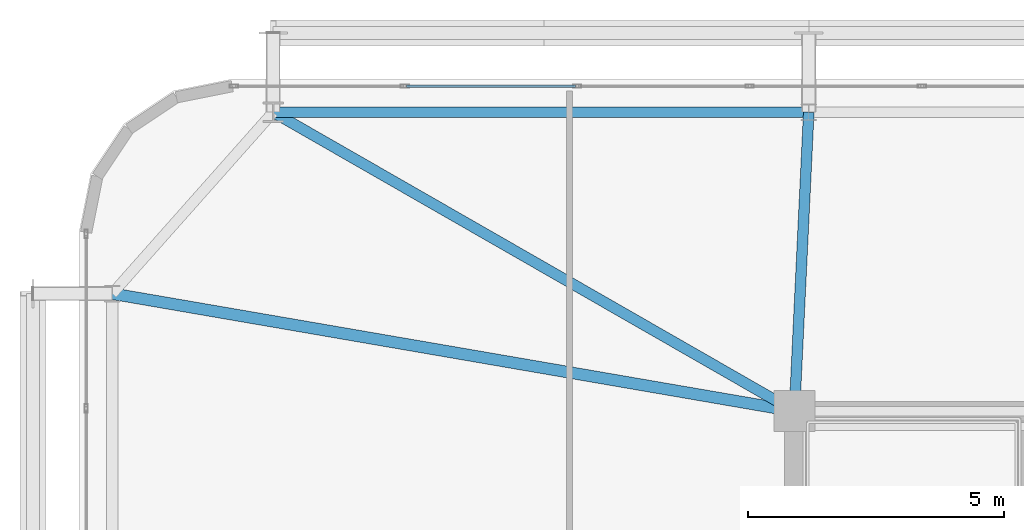
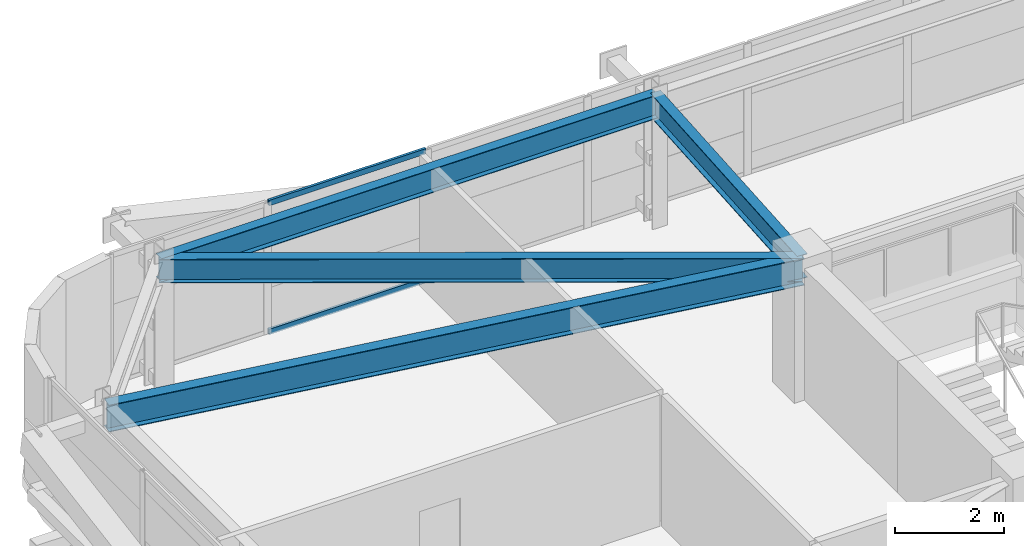
# One storey, part 34 of 59: 4 beams, 2 members, 1 element without a shape of its own.
"""IFC4 building model written with IfcOpenShell, lengths in metres."""

from ifc_helpers import new_model, si_unit, direction, frame, origin, origin_2d, place, context, subcontext, project, spatial, hollow_rectangle, i_section, extrude, source, transform, mapped, material, layer, layer_set, material_profile, profile_set, type_object, element, aggregate, save


model = new_model("IFC4")

# Units and contexts
model_context = context("Model", 3, precision=1e-05, world=origin(), true_north=direction((0.0, 1.0)))
body_context = subcontext(model_context, "Body", "Model", "MODEL_VIEW")
ifc_project = project(units=[si_unit("LENGTHUNIT", "METRE"), si_unit("AREAUNIT", "SQUARE_METRE"), si_unit("VOLUMEUNIT", "CUBIC_METRE"), si_unit("PLANEANGLEUNIT", "RADIAN"), si_unit("MASSUNIT", "GRAM", prefix="KILO")], contexts=[model_context])

# Site, building, storey
site_placement = place(None, origin())
site = spatial("IfcSite", under=ifc_project, at=site_placement, CompositionType="ELEMENT")
building_placement = place(site_placement, origin())
building = spatial("IfcBuilding", under=site, at=building_placement, Name="Taldren Reach Tower", CompositionType="ELEMENT")
storey_placement = place(building_placement, frame((0.0, 0.0, 26.25)))
storey = spatial("IfcBuildingStorey", under=building, at=storey_placement, Name="L07", CompositionType="ELEMENT", Elevation=26.25)

# Beams
ifc_material_1 = material(Name="Steel Gr 350 (350PLUS)", Category="steel")
ifc_material_profile_1 = material_profile(ifc_material_1, i_section(OverallWidth=0.208984375, OverallDepth=0.528076171875, WebThickness=0.009521484375, FlangeThickness=0.01318359375, at=origin_2d()), Name="530UB82.0")
ifc_profile_set_1 = profile_set([ifc_material_profile_1], Name="Steel Gr 350 (350PLUS)")
beam_type_1 = type_object("IfcBeamType", Name="SP-UB530B", PredefinedType="SPANDREL", material=ifc_profile_set_1)
shared_shape_1 = source(origin(), body_context, "Body", "SweptSolid", [
    extrude(i_section(OverallWidth=0.208984375, OverallDepth=0.528076171875, WebThickness=0.009521484375, FlangeThickness=0.01318359375, at=origin_2d()), origin(), (0.0, 0.0, 1.0), 10.47998046875),
])
beam_1_placement = place(storey_placement, frame((19.280029296875, 37.85009765625, 2.666015625), z_axis=(-1.0, 0.0, 0.0), x_axis=(0.0, -1.0, 0.0)))
element("IfcBeam", 1, at=beam_1_placement, inside=storey, type_object=beam_type_1, Name="Perimeter spandrel B1 N2-N1 L07", PredefinedType="SPANDREL", context=body_context, shape_type="MappedRepresentation", body=[
    mapped(shared_shape_1, transform((0.0, 0.0, 0.0), scale=1.0)),
])
ifc_material_profile_2 = material_profile(ifc_material_1, i_section(OverallWidth=0.22802734375, OverallDepth=0.60205078125, WebThickness=0.010498046875, FlangeThickness=0.014892578125, at=origin_2d()), Name="610UB101")
ifc_profile_set_2 = profile_set([ifc_material_profile_2], Name="Steel Gr 350 (350PLUS)")
beam_type_2 = type_object("IfcBeamType", Name="BM-UB610B", PredefinedType="BEAM", material=ifc_profile_set_2)
shared_shape_2 = source(origin(), body_context, "Body", "SweptSolid", [
    extrude(i_section(OverallWidth=0.22802734375, OverallDepth=0.60205078125, WebThickness=0.010498046875, FlangeThickness=0.014892578125, at=origin_2d()), origin(), (0.0, 0.0, 1.0), 13.546875),
])
beam_2_placement = place(storey_placement, frame((19.0, 32.0, 2.62890625), z_axis=(-0.985481022998, 0.169785609847, 0.0), x_axis=(-0.169785609847, -0.985481022998, 0.0)))
element("IfcBeam", 2, at=beam_2_placement, inside=storey, type_object=beam_type_2, Name="Primary floor girder B1-W3 L07", PredefinedType="BEAM", context=body_context, shape_type="MappedRepresentation", body=[
    mapped(shared_shape_2, transform((0.0, 0.0, 0.0), scale=1.0)),
])
ifc_material_profile_3 = material_profile(ifc_material_1, i_section(OverallWidth=0.208984375, OverallDepth=0.532958984375, WebThickness=0.01025390625, FlangeThickness=0.015625, at=origin_2d()), Name="530UB92.4")
ifc_profile_set_3 = profile_set([ifc_material_profile_3], Name="Steel Gr 350 (350PLUS)")
beam_type_3 = type_object("IfcBeamType", Name="BM-UB530A", PredefinedType="BEAM", material=ifc_profile_set_3)
shared_shape_3 = source(origin(), body_context, "Body", "SweptSolid", [
    extrude(i_section(OverallWidth=0.208984375, OverallDepth=0.532958984375, WebThickness=0.01025390625, FlangeThickness=0.015625, at=origin_2d()), origin(), (0.0, 0.0, 1.0), 11.758544921875),
])
beam_3_placement = place(storey_placement, frame((19.0, 32.0, 2.66357421875), z_axis=(-0.867452414141, 0.497520159593, 0.0), x_axis=(-0.497520159593, -0.867452414141, 0.0)))
element("IfcBeam", 3, at=beam_3_placement, inside=storey, type_object=beam_type_3, Name="Primary floor girder B1-N1 L07", PredefinedType="BEAM", context=body_context, shape_type="MappedRepresentation", body=[
    mapped(shared_shape_3, transform((0.0, 0.0, 0.0), scale=1.0)),
])
shared_shape_4 = source(origin(), body_context, "Body", "SweptSolid", [
    extrude(i_section(OverallWidth=0.208984375, OverallDepth=0.532958984375, WebThickness=0.01025390625, FlangeThickness=0.015625, at=origin_2d()), origin(), (0.0, 0.0, 1.0), 5.856689453125),
])
beam_4_placement = place(storey_placement, frame((19.0, 32.0, 2.66357421875), z_axis=(0.047812711672, 0.998856318297, 0.0), x_axis=(-0.998856318297, 0.047812711672, 0.0)))
element("IfcBeam", 4, at=beam_4_placement, inside=storey, type_object=beam_type_3, Name="Primary floor girder B1-N2 L07", PredefinedType="BEAM", context=body_context, shape_type="MappedRepresentation", body=[
    mapped(shared_shape_4, transform((0.0, 0.0, 0.0), scale=1.0)),
])

# Curtain wall, members
ifc_material_2 = material(Name="Aluminium and Low-E Glass Unitised System", Category="aluminium")
ifc_layer = layer(ifc_material_2, 0.159912109375)
ifc_layer_set = layer_set([ifc_layer], Name="Aluminium and Low-E Glass Unitised System")
curtain_wall_type = type_object("IfcCurtainWallType", Name="CW-SYS-2", PredefinedType="NOTDEFINED", material=ifc_layer_set)
curtain_wall_placement = place(storey_placement, origin())
curtain_wall = element("IfcCurtainWall", 5, at=curtain_wall_placement, inside=storey, type_object=curtain_wall_type, Name="Unitised curtain wall CW-L07-N", PredefinedType="NOTDEFINED")
ifc_material_3 = material(Name="Anodised Aluminium 6063-T6", Category="aluminium")
ifc_material_profile_4 = material_profile(ifc_material_3, hollow_rectangle(XDim=0.054931640625, YDim=0.1201171875, WallThickness=0.0029296875, at=origin_2d()), Name="ALU-120x55x3RHS")
ifc_profile_set_4 = profile_set([ifc_material_profile_4], Name="Anodised Aluminium 6063-T6")
member_type = type_object("IfcMemberType", Name="CW-TRN-135", PredefinedType="USERDEFINED", material=ifc_profile_set_4)
shared_shape_5 = source(origin(), body_context, "Body", "SweptSolid", [
    extrude(hollow_rectangle(XDim=0.054931640625, YDim=0.1201171875, WallThickness=0.0029296875, at=origin_2d()), origin(), (0.0, 0.0, 1.0), 3.31005859375),
])
member_1_placement = place(storey_placement, frame((14.717529296875, 38.360107421875, 0.027587890625), z_axis=(-1.0, 0.0, 0.0), x_axis=(0.0, -1.0, 0.0)))
member_1 = element("IfcMember", 6, at=member_1_placement, type_object=member_type, Name="CW-2 transom 15.1", ObjectType="TRANSOM", PredefinedType="USERDEFINED", context=body_context, shape_type="MappedRepresentation", body=[
    mapped(shared_shape_5, transform((0.0, 0.0, 0.0), scale=1.0)),
])
member_2_placement = place(storey_placement, frame((14.717529296875, 38.360107421875, 2.902587890625), z_axis=(-1.0, 0.0, 0.0), x_axis=(0.0, -1.0, 0.0)))
member_2 = element("IfcMember", 7, at=member_2_placement, type_object=member_type, Name="CW-2 transom 15.2", ObjectType="TRANSOM", PredefinedType="USERDEFINED", context=body_context, shape_type="MappedRepresentation", body=[
    mapped(shared_shape_5, transform((0.0, 0.0, 0.0), scale=1.0)),
])
aggregate(curtain_wall, [member_1, member_2])

save(model, "model.ifc")
